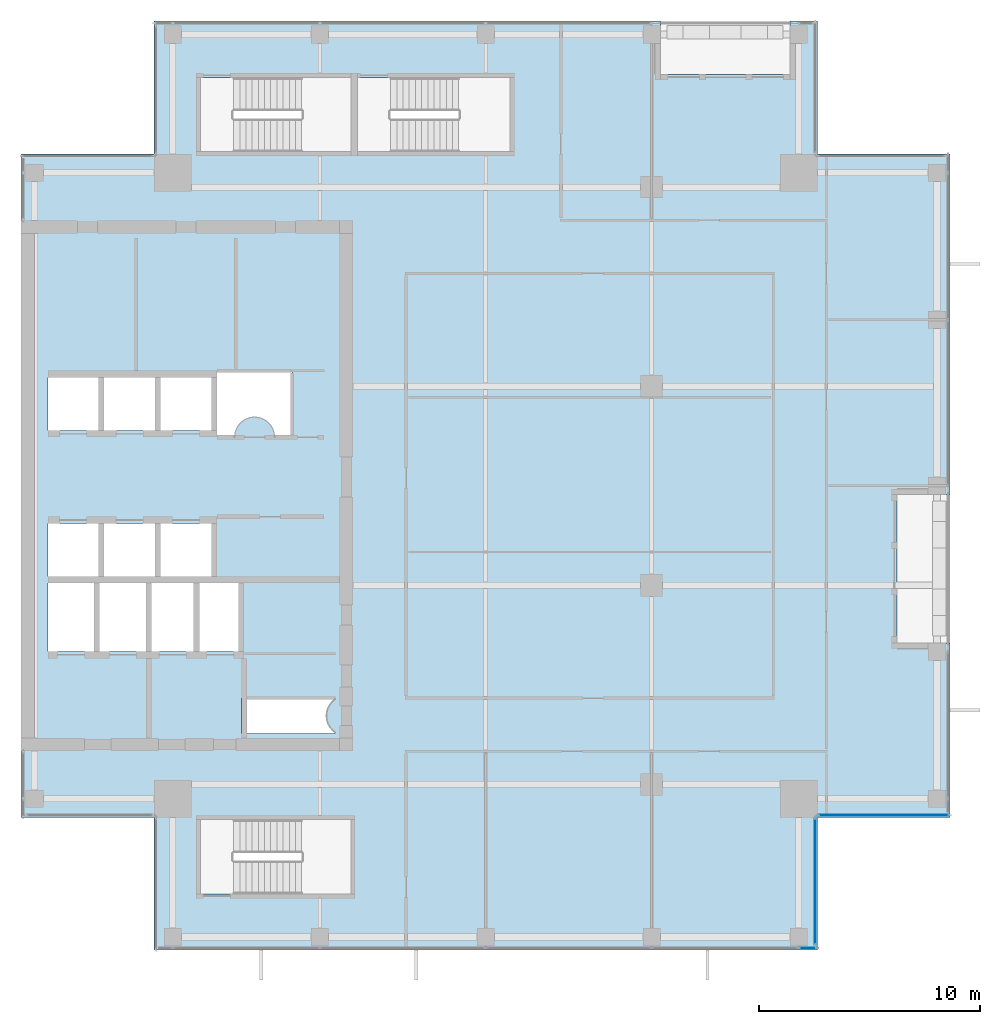
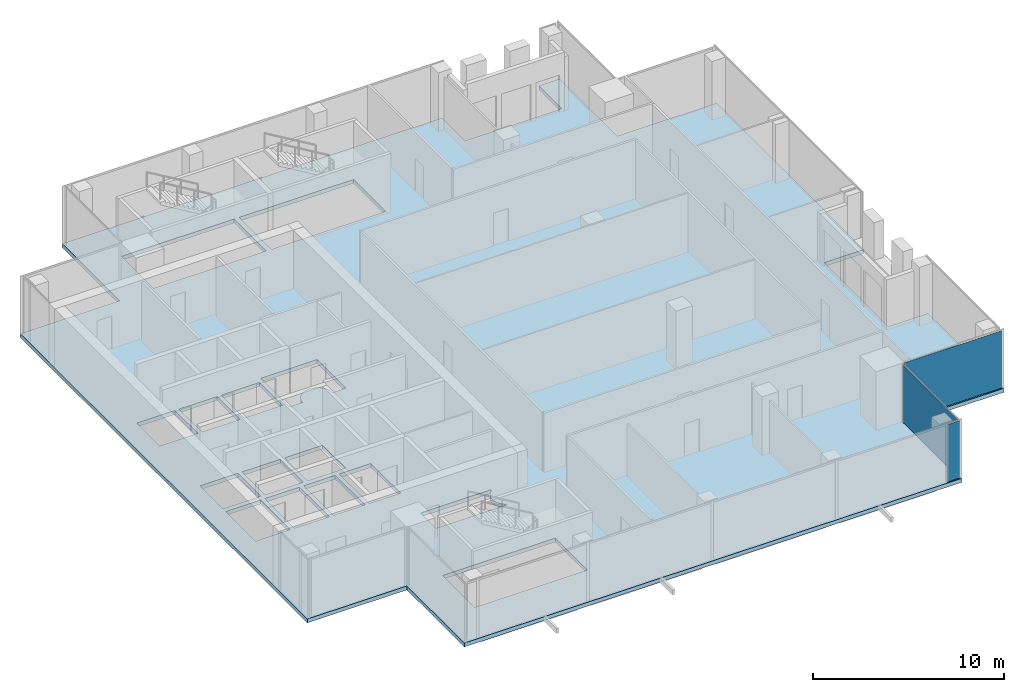
# One storey, part 20 of 29: 3 plates, 1 slab, 3 elements without a shape of their own.
"""IFC4 building model written with IfcOpenShell, lengths in metres."""

from ifc_helpers import new_model, si_unit, direction, frame, origin, origin_2d, place, context, subcontext, project, spatial, polyline, rectangle, outline, extrude, source, transform, mapped, material, layer, layer_set, type_object, element, aggregate, save


model = new_model("IFC4")

# Units and contexts
model_context = context("Model", 3, precision=1e-05, world=origin(), true_north=direction((0.0, 1.0)))
body_context = subcontext(model_context, "Body", "Model", "MODEL_VIEW")
ifc_project = project(units=[si_unit("LENGTHUNIT", "METRE"), si_unit("AREAUNIT", "SQUARE_METRE"), si_unit("VOLUMEUNIT", "CUBIC_METRE"), si_unit("PLANEANGLEUNIT", "RADIAN"), si_unit("MASSUNIT", "GRAM", prefix="KILO")], contexts=[model_context])

# Site, building, storey
site_placement = place(None, origin())
site = spatial("IfcSite", under=ifc_project, at=site_placement, CompositionType="ELEMENT")
building_placement = place(site_placement, origin())
building = spatial("IfcBuilding", under=site, at=building_placement, Name="Khomas Fold Tower", CompositionType="ELEMENT")
storey_placement = place(building_placement, frame((0.0, 0.0, 290.199951171875)))
storey = spatial("IfcBuildingStorey", under=building, at=storey_placement, Name="L65", CompositionType="ELEMENT", Elevation=290.199951171875)

# Slab
ifc_material_1 = material(Name="Concrete C40/50", Category="concrete")
ifc_layer_1 = layer(ifc_material_1, 0.25)
ifc_layer_set_1 = layer_set([ifc_layer_1], Name="Concrete C40/50")
slab_type = type_object("IfcSlabType", Name="RC floor slab 250", PredefinedType="FLOOR", material=ifc_layer_set_1)
shared_shape_1 = source(origin(), body_context, "Body", "SweptSolid", [
    extrude(outline(polyline([(6.0, 12.0), (12.0, 12.0), (12.0, 6.0), (42.0, 6.0), (42.0, 12.0), (48.0, 12.0), (48.0, 19.89990234375), (45.60009765625, 19.89990234375), (45.60009765625, 26.60009765625), (48.0, 26.60009765625), (48.0, 42.0), (42.0, 42.0), (42.0, 48.0), (40.75, 48.0), (40.75, 45.60009765625), (34.89990234375, 45.60009765625), (34.89990234375, 48.0), (12.0, 48.0), (12.0, 42.0), (6.0, 42.0), (6.0, 12.0)]), holes=[polyline([(7.199951171875, 19.5), (7.199951171875, 22.60009765625), (9.300048828125, 22.60009765625), (9.300048828125, 19.5), (7.199951171875, 19.5)]), polyline([(7.199951171875, 22.89990234375), (7.199951171875, 25.300048828125), (9.5, 25.300048828125), (9.5, 22.89990234375), (7.199951171875, 22.89990234375)]), polyline([(7.199951171875, 29.5), (7.199951171875, 31.89990234375), (9.5, 31.89990234375), (9.5, 29.5), (7.199951171875, 29.5)]), polyline([(9.550048828125, 19.5), (9.550048828125, 22.60009765625), (11.64990234375, 22.60009765625), (11.64990234375, 19.5), (9.550048828125, 19.5)]), polyline([(9.75, 22.89990234375), (9.75, 25.300048828125), (12.050048828125, 25.300048828125), (12.050048828125, 22.89990234375), (9.75, 22.89990234375)]), polyline([(9.75, 29.5), (9.75, 31.89990234375), (12.050048828125, 31.89990234375), (12.050048828125, 29.5), (9.75, 29.5)]), polyline([(11.89990234375, 19.5), (11.89990234375, 22.60009765625), (13.800048828125, 22.60009765625), (13.800048828125, 19.5), (11.89990234375, 19.5)]), polyline([(12.300048828125, 22.89990234375), (12.300048828125, 25.300048828125), (14.60009765625, 25.300048828125), (14.60009765625, 22.89990234375), (12.300048828125, 22.89990234375)]), polyline([(12.300048828125, 29.5), (12.300048828125, 31.89990234375), (14.60009765625, 31.89990234375), (14.60009765625, 29.5), (12.300048828125, 29.5)]), polyline([(14.050048828125, 19.5), (14.050048828125, 22.60009765625), (15.949951171875, 22.60009765625), (15.949951171875, 19.5), (14.050048828125, 19.5)]), polyline([(14.10009765625, 8.550048828125), (14.10009765625, 11.89990234375), (20.89990234375, 11.89990234375), (20.89990234375, 8.550048828125), (14.10009765625, 8.550048828125)]), polyline([(14.10009765625, 42.10009765625), (14.10009765625, 45.449951171875), (20.89990234375, 45.449951171875), (20.89990234375, 42.10009765625), (14.10009765625, 42.10009765625)]), polyline([(14.85009765625, 29.199951171875), (14.85009765625, 32.199951171875), (18.25, 32.199951171875), (18.25, 29.199951171875), (17.449951171875, 29.199951171875), (17.44580078125, 29.2880859375), (17.4326171875, 29.37548828125), (17.4111328125, 29.461181640625), (17.381591796875, 29.54443359375), (17.34375, 29.624267578125), (17.29833984375, 29.699951171875), (17.24560546875, 29.77099609375), (17.186279296875, 29.83642578125), (17.12109375, 29.895751953125), (17.050048828125, 29.9482421875), (16.974365234375, 29.99365234375), (16.894287109375, 30.031494140625), (16.811279296875, 30.061279296875), (16.7255859375, 30.082763671875), (16.63818359375, 30.095703125), (16.550048828125, 30.10009765625), (16.4619140625, 30.095703125), (16.37451171875, 30.082763671875), (16.288818359375, 30.061279296875), (16.20556640625, 30.031494140625), (16.125732421875, 29.99365234375), (16.050048828125, 29.9482421875), (15.97900390625, 29.895751953125), (15.91357421875, 29.83642578125), (15.854248046875, 29.77099609375), (15.8017578125, 29.699951171875), (15.75634765625, 29.624267578125), (15.718505859375, 29.54443359375), (15.688720703125, 29.461181640625), (15.667236328125, 29.37548828125), (15.654296875, 29.2880859375), (15.64990234375, 29.199951171875), (14.85009765625, 29.199951171875)]), polyline([(15.949951171875, 15.800048828125), (15.949951171875, 17.39990234375), (20.199951171875, 17.39990234375), (20.199951171875, 17.348388671875), (20.199951171875, 17.348388671875), (20.12890625, 17.295654296875), (20.063720703125, 17.236328125), (20.00439453125, 17.1708984375), (19.95166015625, 17.10009765625), (19.90625, 17.0244140625), (19.868408203125, 16.9443359375), (19.8388671875, 16.861328125), (19.8173828125, 16.775634765625), (19.80419921875, 16.688232421875), (19.800048828125, 16.60009765625), (19.80419921875, 16.51171875), (19.8173828125, 16.42431640625), (19.8388671875, 16.338623046875), (19.868408203125, 16.255615234375), (19.90625, 16.17578125), (19.95166015625, 16.10009765625), (20.00439453125, 16.029052734375), (20.063720703125, 15.963623046875), (20.12890625, 15.904296875), (20.199951171875, 15.851806640625), (20.199951171875, 15.851806640625), (20.199951171875, 15.800048828125), (15.949951171875, 15.800048828125)]), polyline([(21.199951171875, 42.10009765625), (21.199951171875, 45.449951171875), (28.10009765625, 45.449951171875), (28.10009765625, 42.10009765625), (21.199951171875, 42.10009765625)])]), origin(), (0.0, 0.0, 1.0), 0.25),
])
slab_placement = place(storey_placement, frame((0.0, 0.0, -0.25)))
element("IfcSlab", 1, at=slab_placement, inside=storey, type_object=slab_type, Name="S-L65", PredefinedType="FLOOR", context=body_context, shape_type="MappedRepresentation", body=[
    mapped(shared_shape_1, transform((0.0, 0.0, 0.0))),
])

# Curtain wall, plate
ifc_material_2 = material(Name="Aluminium framed double glazing", Category="aluminium")
curtain_wall_type = type_object("IfcCurtainWallType", Name="SK-Unitised clear-glass wall, upper floors CW3", PredefinedType="NOTDEFINED", material=ifc_material_2)
curtain_wall_1_placement = place(storey_placement, origin())
curtain_wall_1 = element("IfcCurtainWall", 2, at=curtain_wall_1_placement, inside=storey, type_object=curtain_wall_type, Name="CW3 run L65 00-0", PredefinedType="NOTDEFINED")
ifc_material_3 = material(Name="Clear double glazed unit")
ifc_layer_2 = layer(ifc_material_3, 0.028076171875)
ifc_layer_set_2 = layer_set([ifc_layer_2], Name="Clear double glazed unit")
plate_type = type_object("IfcPlateType", Name="SK-Unitised clear-glass wall, upper floors glass panel CW3-P", PredefinedType="CURTAIN_PANEL", material=ifc_layer_set_2)
shared_shape_2 = source(origin(), body_context, "Body", "SweptSolid", [
    extrude(rectangle(XDim=0.77490234375, YDim=0.028076171875, at=origin_2d()), origin(), (0.0, 0.0, 1.0), 3.64990234375),
])
plate_1_placement = place(storey_placement, frame((41.5625, 6.10009765625, 0.0), z_axis=(0.0, 0.0, 1.0), x_axis=(1.0, 0.0, 0.0)))
plate_1 = element("IfcPlate", 3, at=plate_1_placement, type_object=plate_type, Name="CW3 glass panel 6", PredefinedType="CURTAIN_PANEL", context=body_context, shape_type="MappedRepresentation", body=[
    mapped(shared_shape_2, transform((0.0, 0.0, 0.0))),
])
aggregate(curtain_wall_1, [plate_1])

curtain_wall_2_placement = place(storey_placement, origin())
curtain_wall_2 = element("IfcCurtainWall", 4, at=curtain_wall_2_placement, inside=storey, type_object=curtain_wall_type, Name="CW3 corner return L65 01", PredefinedType="NOTDEFINED")
shared_shape_3 = source(origin(), body_context, "Body", "SweptSolid", [
    extrude(rectangle(XDim=5.699951171875, YDim=0.028076171875, at=origin_2d()), origin(), (0.0, 0.0, 1.0), 3.64990234375),
])
plate_2_placement = place(storey_placement, frame((41.89990234375, 9.10009765625, 0.0), z_axis=(0.0, 0.0, 1.0), x_axis=(0.0, 1.0, 0.0)))
plate_2 = element("IfcPlate", 5, at=plate_2_placement, type_object=plate_type, Name="CW3 glass panel 1", PredefinedType="CURTAIN_PANEL", context=body_context, shape_type="MappedRepresentation", body=[
    mapped(shared_shape_3, transform((0.0, 0.0, 0.0))),
])
aggregate(curtain_wall_2, [plate_2])

curtain_wall_3_placement = place(storey_placement, origin())
curtain_wall_3 = element("IfcCurtainWall", 6, at=curtain_wall_3_placement, inside=storey, type_object=curtain_wall_type, Name="CW3 corner return L65 02", PredefinedType="NOTDEFINED")
shared_shape_4 = source(origin(), body_context, "Body", "SweptSolid", [
    extrude(rectangle(XDim=5.89990234375, YDim=0.028076171875, at=origin_2d()), origin(), (0.0, 0.0, 1.0), 3.64990234375),
])
plate_3_placement = place(storey_placement, frame((45.0, 12.10009765625, 0.0), z_axis=(0.0, 0.0, 1.0), x_axis=(1.0, 0.0, 0.0)))
plate_3 = element("IfcPlate", 7, at=plate_3_placement, type_object=plate_type, Name="CW3 glass panel 1", PredefinedType="CURTAIN_PANEL", context=body_context, shape_type="MappedRepresentation", body=[
    mapped(shared_shape_4, transform((0.0, 0.0, 0.0))),
])
aggregate(curtain_wall_3, [plate_3])

save(model, "model.ifc")
